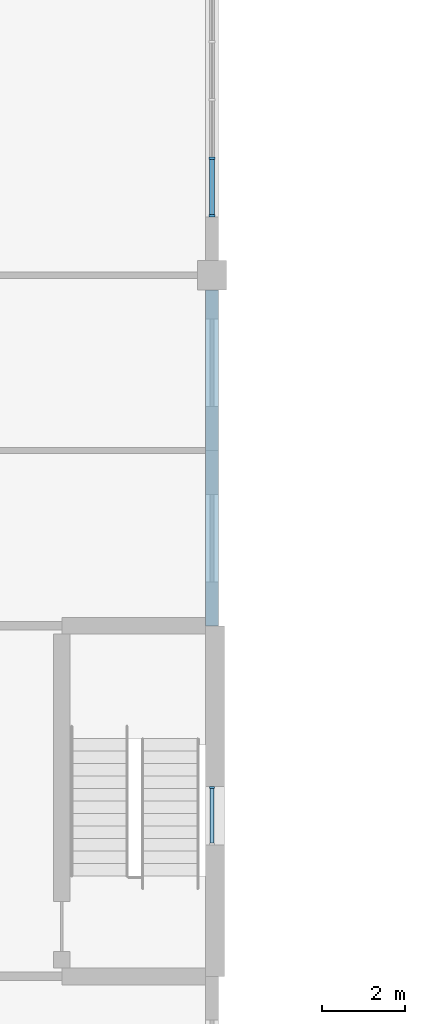
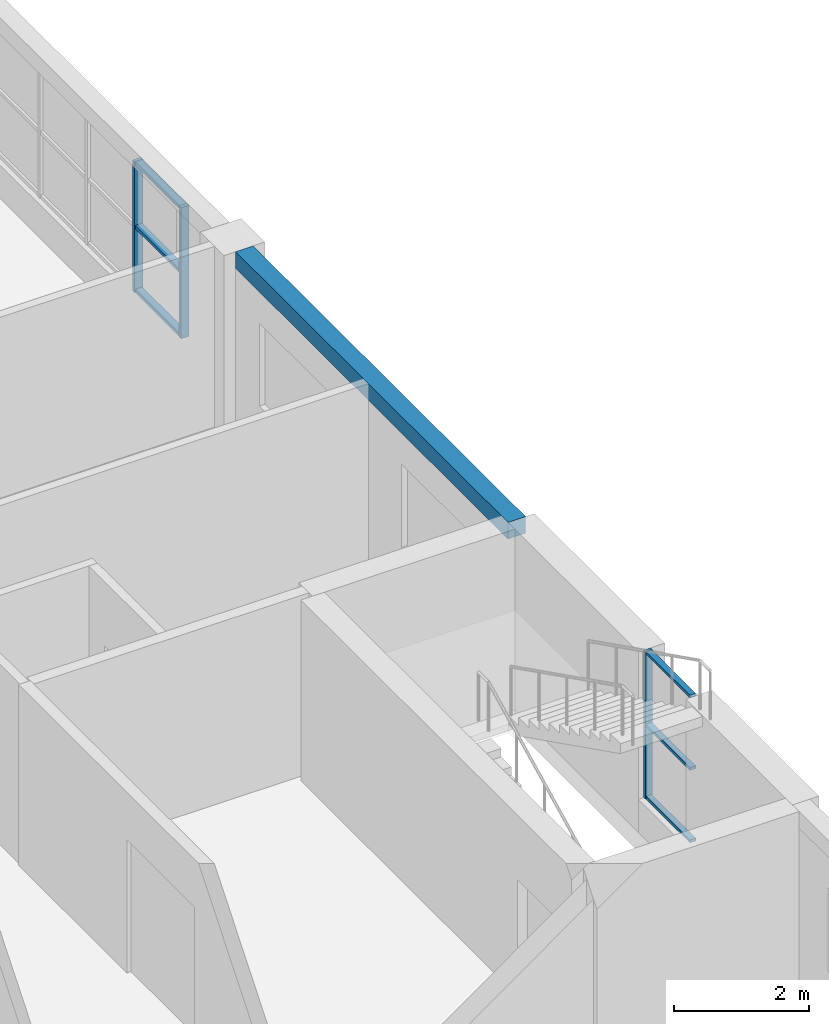
# One storey, part 13 of 46: 9 members, 1 beam, 2 elements without a shape of their own.
"""IFC4 building model written with IfcOpenShell, lengths in metres."""

from ifc_helpers import new_model, si_unit, direction, frame, origin, origin_2d, place, context, subcontext, project, spatial, rectangle, extrude, material, material_profile, profile_set, type_object, element, aggregate, save


model = new_model("IFC4")

# Units and contexts
model_context = context("Model", 3, precision=1e-05, world=origin(), true_north=direction((0.0, 1.0)))
body_context = subcontext(model_context, "Body", "Model", "MODEL_VIEW")
ifc_project = project(units=[si_unit("LENGTHUNIT", "METRE"), si_unit("AREAUNIT", "SQUARE_METRE"), si_unit("VOLUMEUNIT", "CUBIC_METRE"), si_unit("PLANEANGLEUNIT", "RADIAN"), si_unit("MASSUNIT", "GRAM", prefix="KILO")], contexts=[model_context])

# Site, building, storey
site_placement = place(None, origin())
site = spatial("IfcSite", under=ifc_project, at=site_placement, CompositionType="ELEMENT")
building_placement = place(site_placement, origin())
building = spatial("IfcBuilding", under=site, at=building_placement, Name="Yavir Park General Hospital", CompositionType="ELEMENT")
storey_placement = place(building_placement, frame((0.0, 0.0, 18.89990234375)))
storey = spatial("IfcBuildingStorey", under=building, at=storey_placement, Name="L04", CompositionType="ELEMENT", Elevation=18.89990234375)

# Curtain wall, members
ifc_material_1 = material(Name="Aluminium curtain wall frame with insulated glazing", Category="aluminium")
curtain_wall_type_1 = type_object("IfcCurtainWallType", Name="Day room pocket glazing, ward floors, 2360 high, 1400 module", PredefinedType="NOTDEFINED", material=ifc_material_1)
curtain_wall_1_placement = place(storey_placement, origin())
curtain_wall_1 = element("IfcCurtainWall", 1, at=curtain_wall_1_placement, inside=storey, type_object=curtain_wall_type_1, Name="CW6 L04-025", PredefinedType="NOTDEFINED")
ifc_material_2 = material(Name="Aluminium", Category="aluminium")
ifc_material_profile_1 = material_profile(ifc_material_2, rectangle(XDim=0.139892578125, YDim=0.06005859375, at=origin_2d()), Name="AL 60x140")
ifc_profile_set_1 = profile_set([ifc_material_profile_1], Name="Aluminium")
member_type_1 = type_object("IfcMemberType", Name="Day room pocket glazing, ward floors, 2360 high mullion 60 x 140", PredefinedType="MULLION", material=ifc_profile_set_1)
member_1_placement = place(storey_placement, frame((25.199951171875, 93.830078125, 0.60009765625), z_axis=(0.0, 0.0, 1.0), x_axis=(-1.0, 0.0, 0.0)))
member_1 = element("IfcMember", 2, at=member_1_placement, type_object=member_type_1, Name="CW6 mullion 1", PredefinedType="MULLION", context=body_context, shape_type="SweptSolid", body=[
    extrude(rectangle(XDim=0.139892578125, YDim=0.06005859375, at=origin_2d()), origin(), (0.0, 0.0, 1.0), 2.360107421875),
])
member_2_placement = place(storey_placement, frame((25.199951171875, 95.199951171875, 0.60009765625), z_axis=(0.0, 0.0, 1.0), x_axis=(-1.0, 0.0, 0.0)))
member_2 = element("IfcMember", 3, at=member_2_placement, type_object=member_type_1, Name="CW6 mullion 2", PredefinedType="MULLION", context=body_context, shape_type="SweptSolid", body=[
    extrude(rectangle(XDim=0.139892578125, YDim=0.06005859375, at=origin_2d()), origin(), (0.0, 0.0, 1.0), 2.360107421875),
])
ifc_material_3 = material(Name="Aluminium", Category="aluminium")
ifc_material_profile_2 = material_profile(ifc_material_3, rectangle(XDim=0.1201171875, YDim=0.06005859375, at=origin_2d()), Name="AL 120x60")
ifc_profile_set_2 = profile_set([ifc_material_profile_2], Name="Aluminium")
member_type_2 = type_object("IfcMemberType", Name="Day room pocket glazing, ward floors, 2360 high transom 60 x 120", PredefinedType="MULLION", material=ifc_profile_set_2)
member_3_placement = place(storey_placement, frame((25.199951171875, 93.860107421875, 0.630126953125), z_axis=(0.0, 1.0, 0.0), x_axis=(-1.0, 0.0, 0.0)))
member_3 = element("IfcMember", 4, at=member_3_placement, type_object=member_type_2, Name="CW6 transom 1.1", PredefinedType="MULLION", context=body_context, shape_type="SweptSolid", body=[
    extrude(rectangle(XDim=0.1201171875, YDim=0.06005859375, at=origin_2d()), origin(), (0.0, 0.0, 1.0), 1.309814453125),
])
member_4_placement = place(storey_placement, frame((25.199951171875, 93.860107421875, 1.780029296875), z_axis=(0.0, 1.0, 0.0), x_axis=(-1.0, 0.0, 0.0)))
member_4 = element("IfcMember", 5, at=member_4_placement, type_object=member_type_2, Name="CW6 transom 1.2", PredefinedType="MULLION", context=body_context, shape_type="SweptSolid", body=[
    extrude(rectangle(XDim=0.1201171875, YDim=0.06005859375, at=origin_2d()), origin(), (0.0, 0.0, 1.0), 1.309814453125),
])
member_5_placement = place(storey_placement, frame((25.199951171875, 93.860107421875, 2.93017578125), z_axis=(0.0, 1.0, 0.0), x_axis=(-1.0, 0.0, 0.0)))
member_5 = element("IfcMember", 6, at=member_5_placement, type_object=member_type_2, Name="CW6 transom 1.3", PredefinedType="MULLION", context=body_context, shape_type="SweptSolid", body=[
    extrude(rectangle(XDim=0.1201171875, YDim=0.06005859375, at=origin_2d()), origin(), (0.0, 0.0, 1.0), 1.309814453125),
])
aggregate(curtain_wall_1, [member_1, member_2, member_3, member_4, member_5])

# Beam
ifc_material_4 = material(Name="Concrete C35/45", Category="concrete")
ifc_material_profile_3 = material_profile(ifc_material_4, rectangle(XDim=0.300048828125, YDim=0.300048828125, at=origin_2d()), Name="RC300x300")
ifc_profile_set_3 = profile_set([ifc_material_profile_3], Name="Concrete C35/45")
beam_type = type_object("IfcBeamType", Name="RC BEAM 300x300 edge beam", PredefinedType="BEAM", material=ifc_profile_set_3)
beam_placement = place(storey_placement, frame((25.199951171875, 84.0, 3.110107421875), z_axis=(0.0, 1.0, 0.0), x_axis=(-1.0, 0.0, 0.0)))
element("IfcBeam", 7, at=beam_placement, inside=storey, type_object=beam_type, Name="B:EDGE:L04:032", PredefinedType="BEAM", context=body_context, shape_type="SweptSolid", body=[
    extrude(rectangle(XDim=0.300048828125, YDim=0.300048828125, at=origin_2d()), origin(), (0.0, 0.0, 1.0), 8.050048828125),
])

# Curtain wall, members
ifc_material_5 = material(Name="Aluminium curtain wall frame with insulated glazing", Category="aluminium")
curtain_wall_type_2 = type_object("IfcCurtainWallType", Name="Stair light slot, ward floors, 2660 high, 1400 module", PredefinedType="NOTDEFINED", material=ifc_material_5)
curtain_wall_2_placement = place(storey_placement, origin())
curtain_wall_2 = element("IfcCurtainWall", 8, at=curtain_wall_2_placement, inside=storey, type_object=curtain_wall_type_2, Name="CW10 L04-024", PredefinedType="NOTDEFINED")
ifc_material_6 = material(Name="Aluminium", Category="aluminium")
ifc_material_profile_4 = material_profile(ifc_material_6, rectangle(XDim=0.1201171875, YDim=0.050048828125, at=origin_2d()), Name="AL 50x120")
ifc_profile_set_4 = profile_set([ifc_material_profile_4], Name="Aluminium")
member_type_3 = type_object("IfcMemberType", Name="Stair light slot, ward floors, 2660 high mullion 50 x 120", PredefinedType="MULLION", material=ifc_profile_set_4)
member_6_placement = place(storey_placement, frame((25.199951171875, 80.125, 0.60009765625), z_axis=(0.0, 0.0, 1.0), x_axis=(-1.0, 0.0, 0.0)))
member_6 = element("IfcMember", 9, at=member_6_placement, type_object=member_type_3, Name="CW10 mullion 2", PredefinedType="MULLION", context=body_context, shape_type="SweptSolid", body=[
    extrude(rectangle(XDim=0.1201171875, YDim=0.050048828125, at=origin_2d()), origin(), (0.0, 0.0, 1.0), 2.659912109375),
])
ifc_material_7 = material(Name="Aluminium", Category="aluminium")
ifc_material_profile_5 = material_profile(ifc_material_7, rectangle(XDim=0.10009765625, YDim=0.050048828125, at=origin_2d()), Name="AL 100x50")
ifc_profile_set_5 = profile_set([ifc_material_profile_5], Name="Aluminium")
member_type_4 = type_object("IfcMemberType", Name="Stair light slot, ward floors, 2660 high transom 50 x 100", PredefinedType="MULLION", material=ifc_profile_set_5)
member_7_placement = place(storey_placement, frame((25.199951171875, 78.800048828125, 0.625), z_axis=(0.0, 1.0, 0.0), x_axis=(-1.0, 0.0, 0.0)))
member_7 = element("IfcMember", 10, at=member_7_placement, type_object=member_type_4, Name="CW10 transom 1.1", PredefinedType="MULLION", context=body_context, shape_type="SweptSolid", body=[
    extrude(rectangle(XDim=0.10009765625, YDim=0.050048828125, at=origin_2d()), origin(), (0.0, 0.0, 1.0), 1.300048828125),
])
member_8_placement = place(storey_placement, frame((25.199951171875, 78.800048828125, 1.93017578125), z_axis=(0.0, 1.0, 0.0), x_axis=(-1.0, 0.0, 0.0)))
member_8 = element("IfcMember", 11, at=member_8_placement, type_object=member_type_4, Name="CW10 transom 1.2", PredefinedType="MULLION", context=body_context, shape_type="SweptSolid", body=[
    extrude(rectangle(XDim=0.10009765625, YDim=0.050048828125, at=origin_2d()), origin(), (0.0, 0.0, 1.0), 1.300048828125),
])
member_9_placement = place(storey_placement, frame((25.199951171875, 78.800048828125, 3.235107421875), z_axis=(0.0, 1.0, 0.0), x_axis=(-1.0, 0.0, 0.0)))
member_9 = element("IfcMember", 12, at=member_9_placement, type_object=member_type_4, Name="CW10 transom 1.3", PredefinedType="MULLION", context=body_context, shape_type="SweptSolid", body=[
    extrude(rectangle(XDim=0.10009765625, YDim=0.050048828125, at=origin_2d()), origin(), (0.0, 0.0, 1.0), 1.300048828125),
])
aggregate(curtain_wall_2, [member_6, member_7, member_8, member_9])

save(model, "model.ifc")
